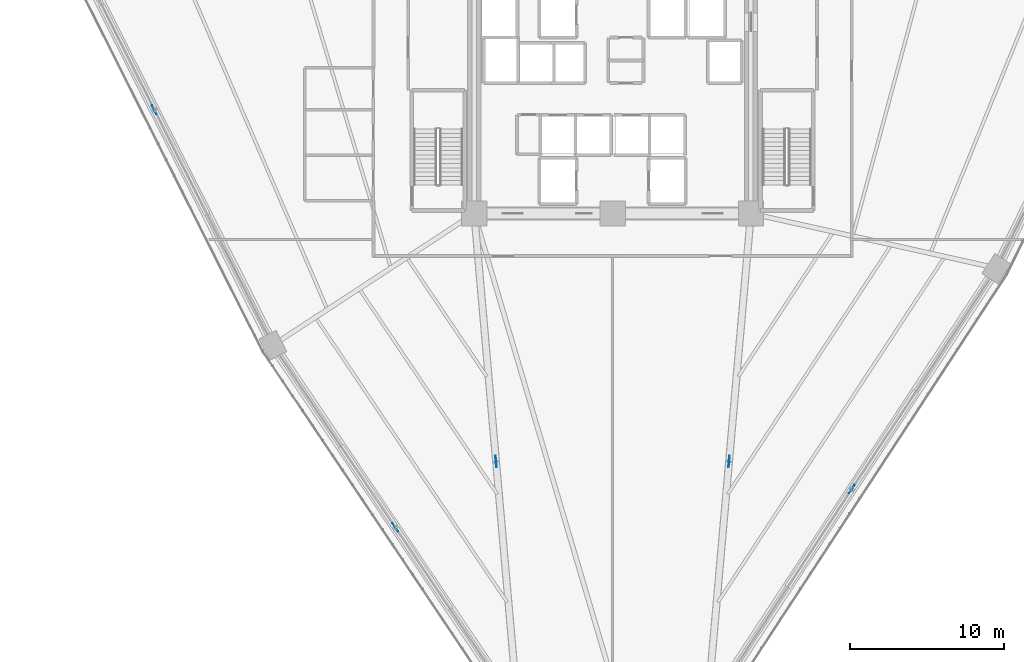
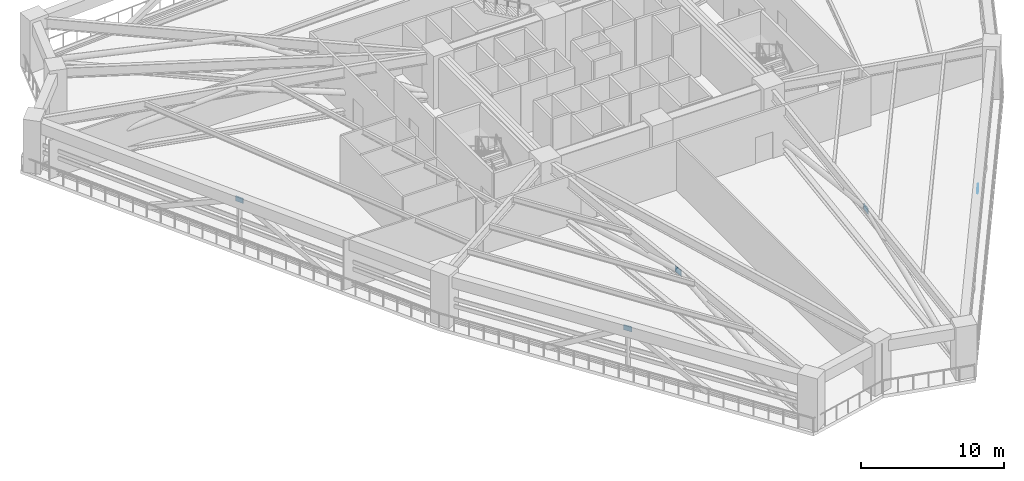
# One storey, part 13 of 25: 5 plates.
"""IFC4 building model written with IfcOpenShell, lengths in metres."""

from ifc_helpers import new_model, si_unit, direction, frame, origin, origin_2d, place, context, subcontext, project, spatial, rectangle, extrude, source, transform, mapped, material, layer, layer_set, type_object, element, save


model = new_model("IFC4")

# Units and contexts
model_context = context("Model", 3, precision=1e-05, world=origin(), true_north=direction((0.0, 1.0)))
body_context = subcontext(model_context, "Body", "Model", "MODEL_VIEW")
ifc_project = project(units=[si_unit("LENGTHUNIT", "METRE"), si_unit("AREAUNIT", "SQUARE_METRE"), si_unit("VOLUMEUNIT", "CUBIC_METRE"), si_unit("PLANEANGLEUNIT", "RADIAN"), si_unit("MASSUNIT", "GRAM", prefix="KILO")], contexts=[model_context])

# Site, building, storey
site_placement = place(None, origin())
site = spatial("IfcSite", under=ifc_project, at=site_placement, CompositionType="ELEMENT")
building_placement = place(site_placement, origin())
building = spatial("IfcBuilding", under=site, at=building_placement, Name="Liaohun Quay Tower", CompositionType="ELEMENT")
storey_placement = place(building_placement, frame((0.0, 0.0, 93.0)))
storey = spatial("IfcBuildingStorey", under=building, at=storey_placement, Name="L24", CompositionType="ELEMENT", Elevation=93.0)

# Plates
ifc_material = material(Name="Steel Q420D outrigger node gusset plate", Category="steel")
ifc_layer = layer(ifc_material, 0.0400390625, Name="Steel Q420D outrigger node gusset plate", Category="steel")
ifc_layer_set = layer_set([ifc_layer], Name="Steel Q420D outrigger node gusset plate")
plate_type = type_object("IfcPlateType", Name="PLT-GUS-OUT", PredefinedType="USERDEFINED", material=ifc_layer_set)
shared_shape_1 = source(origin(), body_context, "Body", "SweptSolid", [
    extrude(rectangle(XDim=0.75, YDim=0.0400390625, at=origin_2d()), origin(), (0.0, 0.0, 1.0), 0.5),
])
for number, where, z_axis, x_axis, name in (
    (1, (52.4189453125, 30.364013671875, 3.570068359375), (0.0, 0.0, 1.0), (0.087677337101, -0.996148926897, 0.0), "L24 Outrigger Node Gusset Plate GP1-01"),
    (2, (67.577880859375, 30.364013671875, 3.570068359375), (0.0, 0.0, 1.0), (-0.087851196551, -0.996133609143, 0.0), "L24 Outrigger Node Gusset Plate GP1-06"),
):
    element("IfcPlate", number, at=place(storey_placement, frame(where, z_axis=z_axis, x_axis=x_axis)), inside=storey, type_object=plate_type, Name=name, ObjectType="GUSSET PLATE", PredefinedType="USERDEFINED", context=body_context, shape_type="MappedRepresentation", body=[
        mapped(shared_shape_1, transform((0.0, 0.0, 0.0), x_axis=(1.0, 0.0, 0.0), y_axis=(0.0, 1.0, 0.0), z_axis=(0.0, 0.0, 1.0), scale=1.0)),
    ])
shared_shape_2 = source(origin(), body_context, "Body", "SweptSolid", [
    extrude(rectangle(XDim=0.64990234375, YDim=0.035888671875, at=origin_2d()), origin(), (0.0, 0.0, 1.0), 0.449951171875),
])
for number, where, z_axis, x_axis, name in (
    (3, (45.873046875, 26.075927734375, 3.59521484375), (0.0, 0.0, 1.0), (-0.557889964956, 0.829914927569, 0.0), "L24 Belt Truss Node Gusset Plate GP1-B01"),
    (4, (30.194091796875, 53.239990234375, 3.59521484375), (0.0, 0.0, 1.0), (-0.449942579956, 0.893057486807, 0.0), "L24 Belt Truss Node Gusset Plate GP1-B02"),
    (5, (75.56103515625, 28.568115234375, 3.59521484375), (0.0, 0.0, 1.0), (-0.548439180637, -0.83619044789, 0.0), "L24 Belt Truss Node Gusset Plate GP1-B06"),
):
    element("IfcPlate", number, at=place(storey_placement, frame(where, z_axis=z_axis, x_axis=x_axis)), inside=storey, type_object=plate_type, Name=name, ObjectType="GUSSET PLATE", PredefinedType="USERDEFINED", context=body_context, shape_type="MappedRepresentation", body=[
        mapped(shared_shape_2, transform((0.0, 0.0, 0.0), x_axis=(1.0, 0.0, 0.0), y_axis=(0.0, 1.0, 0.0), z_axis=(0.0, 0.0, 1.0), scale=1.0)),
    ])

save(model, "model.ifc")
